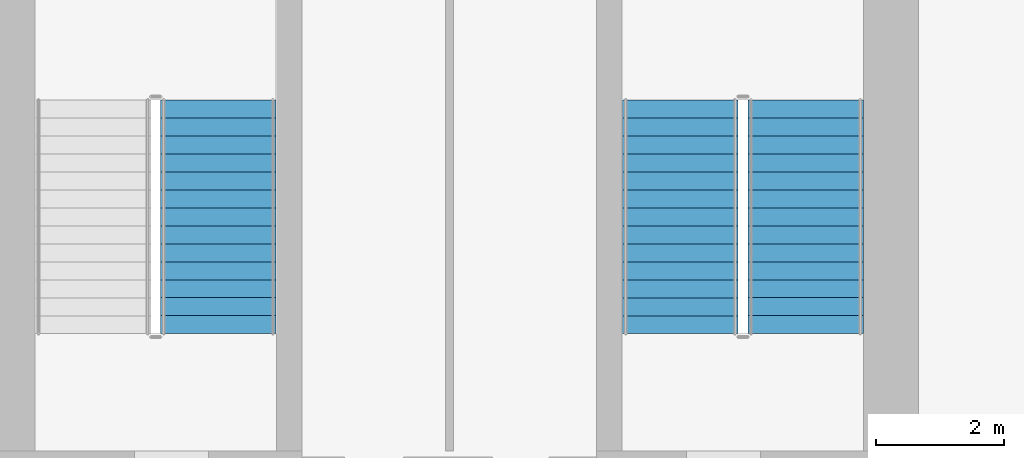
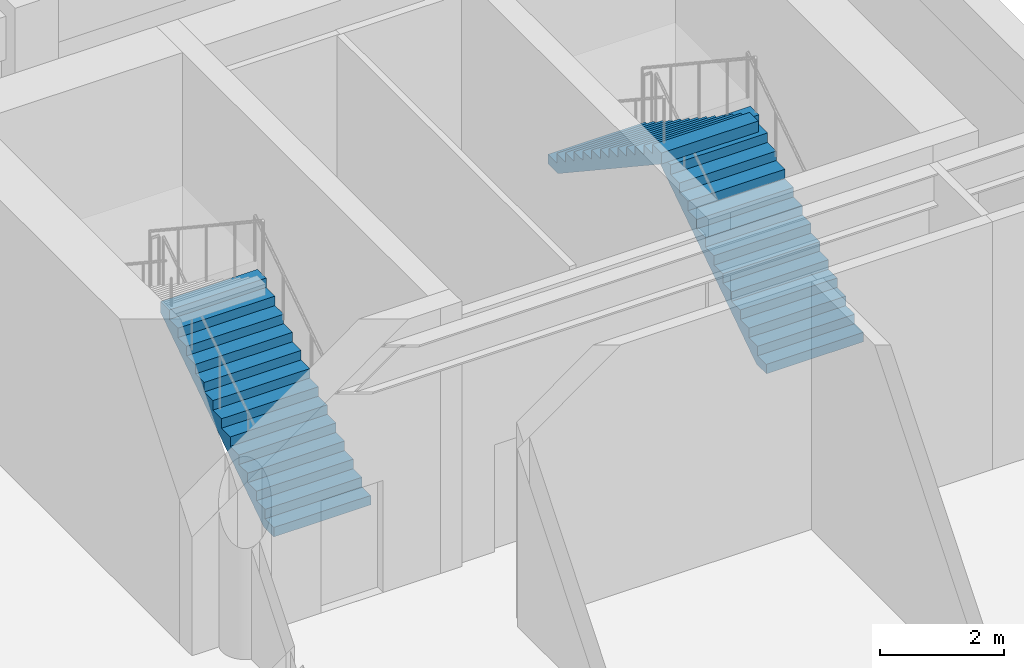
# One storey, part 8 of 11: 3 stair flights, 2 elements without a shape of their own.
"""IFC4 building model written with IfcOpenShell, lengths in metres."""

from ifc_helpers import new_model, si_unit, direction, frame, origin, place, context, subcontext, project, spatial, polyline, outline, extrude, material, type_object, element, aggregate, save


model = new_model("IFC4")

# Units and contexts
model_context = context("Model", 3, precision=1e-05, world=origin(), true_north=direction((0.0, 1.0)))
body_context = subcontext(model_context, "Body", "Model", "MODEL_VIEW")
ifc_project = project(units=[si_unit("LENGTHUNIT", "METRE"), si_unit("AREAUNIT", "SQUARE_METRE"), si_unit("VOLUMEUNIT", "CUBIC_METRE"), si_unit("PLANEANGLEUNIT", "RADIAN"), si_unit("MASSUNIT", "GRAM", prefix="KILO")], contexts=[model_context])

# Site, building, storey
site_placement = place(None, origin())
site = spatial("IfcSite", under=ifc_project, at=site_placement, CompositionType="ELEMENT")
building_placement = place(site_placement, origin())
building = spatial("IfcBuilding", under=site, at=building_placement, Name="Sulina Concourse Tower", CompositionType="ELEMENT")
storey_placement = place(building_placement, frame((0.0, 0.0, 160.60009765625)))
storey = spatial("IfcBuildingStorey", under=building, at=storey_placement, Name="L39", CompositionType="ELEMENT", Elevation=160.60009765625)

# Stair, stair flight
ifc_material_1 = material(Name="Concrete C50/60", Category="concrete")
stair_type = type_object("IfcStairType", Name="Portal & Podium Core Exit Stair 1820mm", PredefinedType="HALF_TURN_STAIR", material=ifc_material_1)
stair_1_placement = place(storey_placement, origin())
stair_1 = element("IfcStair", 1, at=stair_1_placement, inside=storey, type_object=stair_type, Name="L39 ST-3", PredefinedType="HALF_TURN_STAIR")
ifc_material_2 = material(Name="Concrete C50/60", Category="concrete")
stair_flight_type = type_object("IfcStairFlightType", Name="Portal & Podium Core Exit Stair 1820mm Flight", PredefinedType="STRAIGHT", material=ifc_material_2)
stair_flight_1_placement = place(storey_placement, frame((44.405029296875, 36.375, 0.0), z_axis=(0.0, 0.0, 1.0), x_axis=(0.0, 1.0, 0.0)))
stair_flight_1 = element("IfcStairFlight", 2, at=stair_flight_1_placement, type_object=stair_flight_type, Name="ST-3 flight 1", NumberOfRisers=14, NumberOfTreads=13, PredefinedType="STRAIGHT", RiserHeight=0.185714286, TreadLength=0.28, context=body_context, shape_type="SweptSolid", body=[
    extrude(outline(polyline([(0.0, 0.0), (0.0, 0.185791015625), (0.280029296875, 0.185791015625), (0.280029296875, 0.371337890625), (0.56005859375, 0.371337890625), (0.56005859375, 0.55712890625), (0.840087890625, 0.55712890625), (0.840087890625, 0.742919921875), (1.1201171875, 0.742919921875), (1.1201171875, 0.928466796875), (1.39990234375, 0.928466796875), (1.39990234375, 1.1142578125), (1.679931640625, 1.1142578125), (1.679931640625, 1.300048828125), (1.9599609375, 1.300048828125), (1.9599609375, 1.485595703125), (2.239990234375, 1.485595703125), (2.239990234375, 1.67138671875), (2.52001953125, 1.67138671875), (2.52001953125, 1.857177734375), (2.800048828125, 1.857177734375), (2.800048828125, 2.04296875), (3.080078125, 2.04296875), (3.080078125, 2.228515625), (3.360107421875, 2.228515625), (3.360107421875, 2.414306640625), (3.639892578125, 2.414306640625), (3.639892578125, 2.60009765625), (3.639892578125, 2.198486328125), (0.325439453125, 0.0), (0.0, 0.0)])), frame((0.0, 0.89990234375, 0.0), z_axis=(0.0, -1.0, 0.0), x_axis=(1.0, 0.0, 0.0)), (0.0, 0.0, 1.0), 1.800048828125),
])
aggregate(stair_1, [stair_flight_1])

# Stair, stair flights
stair_2_placement = place(storey_placement, origin())
stair_2 = element("IfcStair", 3, at=stair_2_placement, inside=storey, type_object=stair_type, Name="L39 ST-4", PredefinedType="HALF_TURN_STAIR")
stair_flight_2_placement = place(storey_placement, frame((53.544921875, 36.375, 0.0), z_axis=(0.0, 0.0, 1.0), x_axis=(0.0, 1.0, 0.0)))
stair_flight_2 = element("IfcStairFlight", 4, at=stair_flight_2_placement, type_object=stair_flight_type, Name="ST-4 flight 1", NumberOfRisers=14, NumberOfTreads=13, PredefinedType="STRAIGHT", RiserHeight=0.185714286, TreadLength=0.28, context=body_context, shape_type="SweptSolid", body=[
    extrude(outline(polyline([(0.0, 0.0), (0.0, 0.185791015625), (0.280029296875, 0.185791015625), (0.280029296875, 0.371337890625), (0.56005859375, 0.371337890625), (0.56005859375, 0.55712890625), (0.840087890625, 0.55712890625), (0.840087890625, 0.742919921875), (1.1201171875, 0.742919921875), (1.1201171875, 0.928466796875), (1.39990234375, 0.928466796875), (1.39990234375, 1.1142578125), (1.679931640625, 1.1142578125), (1.679931640625, 1.300048828125), (1.9599609375, 1.300048828125), (1.9599609375, 1.485595703125), (2.239990234375, 1.485595703125), (2.239990234375, 1.67138671875), (2.52001953125, 1.67138671875), (2.52001953125, 1.857177734375), (2.800048828125, 1.857177734375), (2.800048828125, 2.04296875), (3.080078125, 2.04296875), (3.080078125, 2.228515625), (3.360107421875, 2.228515625), (3.360107421875, 2.414306640625), (3.639892578125, 2.414306640625), (3.639892578125, 2.60009765625), (3.639892578125, 2.198486328125), (0.325439453125, 0.0), (0.0, 0.0)])), frame((0.0, 0.89990234375, 0.0), z_axis=(0.0, -1.0, 0.0), x_axis=(1.0, 0.0, 0.0)), (0.0, 0.0, 1.0), 1.800048828125),
])
stair_flight_3_placement = place(storey_placement, frame((51.594970703125, 40.014892578125, 2.599853515625), z_axis=(0.0, 0.0, 1.0), x_axis=(0.0, -1.0, 0.0)))
stair_flight_3 = element("IfcStairFlight", 5, at=stair_flight_3_placement, type_object=stair_flight_type, Name="ST-4 flight 2", NumberOfRisers=14, NumberOfTreads=13, PredefinedType="STRAIGHT", RiserHeight=0.185714286, TreadLength=0.28, context=body_context, shape_type="SweptSolid", body=[
    extrude(outline(polyline([(0.0, 0.0), (0.0, 0.185791015625), (0.280029296875, 0.185791015625), (0.280029296875, 0.371337890625), (0.56005859375, 0.371337890625), (0.56005859375, 0.55712890625), (0.840087890625, 0.55712890625), (0.840087890625, 0.742919921875), (1.1201171875, 0.742919921875), (1.1201171875, 0.928466796875), (1.39990234375, 0.928466796875), (1.39990234375, 1.1142578125), (1.679931640625, 1.1142578125), (1.679931640625, 1.300048828125), (1.9599609375, 1.300048828125), (1.9599609375, 1.485595703125), (2.239990234375, 1.485595703125), (2.239990234375, 1.67138671875), (2.52001953125, 1.67138671875), (2.52001953125, 1.857177734375), (2.800048828125, 1.857177734375), (2.800048828125, 2.04296875), (3.080078125, 2.04296875), (3.080078125, 2.228515625), (3.360107421875, 2.228515625), (3.360107421875, 2.414306640625), (3.639892578125, 2.414306640625), (3.639892578125, 2.60009765625), (3.639892578125, 2.198486328125), (0.325439453125, 0.0), (0.0, 0.0)])), frame((0.0, 0.89990234375, 0.0), z_axis=(0.0, -1.0, 0.0), x_axis=(1.0, 0.0, 0.0)), (0.0, 0.0, 1.0), 1.800048828125),
])
aggregate(stair_2, [stair_flight_2, stair_flight_3])

save(model, "model.ifc")
